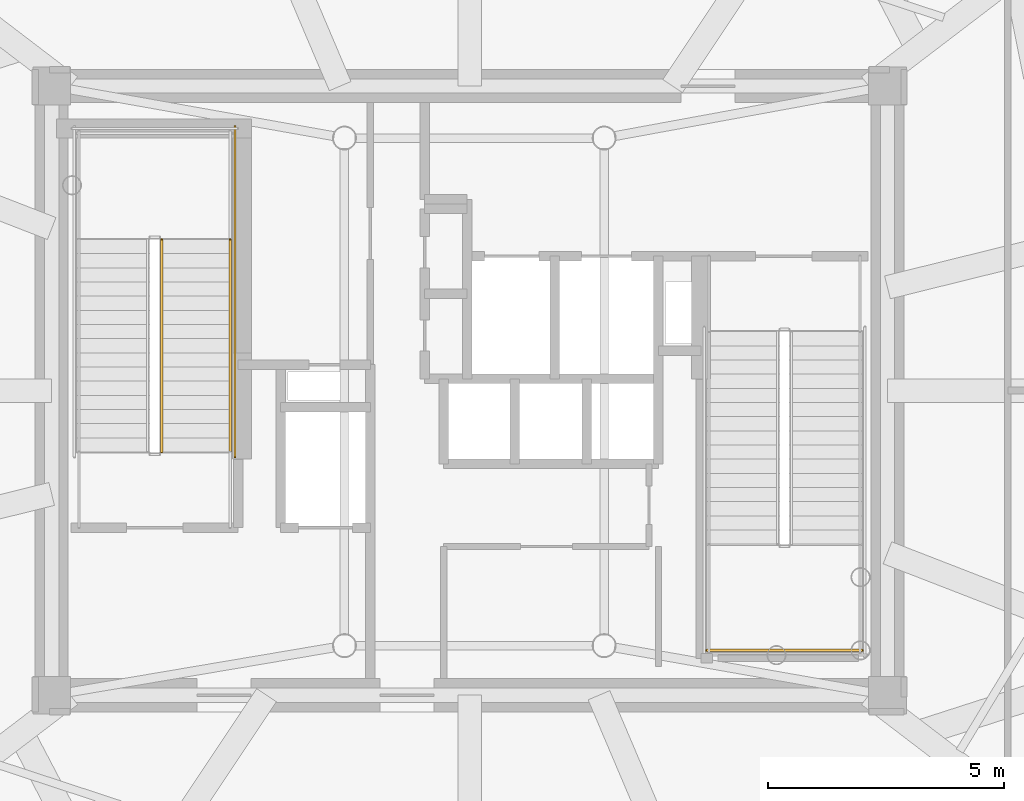
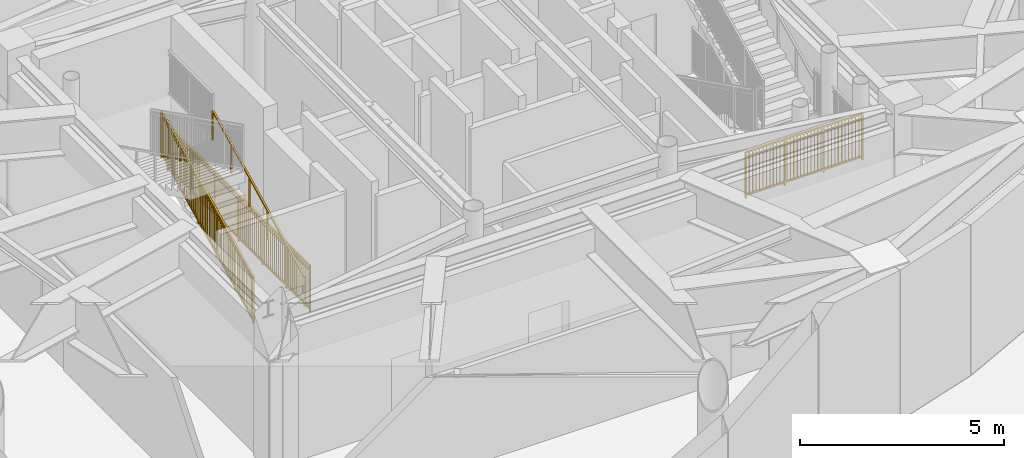
# One storey, part 7 of 11: 4 railings.
"""IFC4 building model written with IfcOpenShell, lengths in metres."""

from ifc_helpers import new_model, si_unit, direction, frame, origin, origin_2d, place, context, subcontext, project, spatial, rectangle, extrude, source, transform, mapped, material, type_object, element, save


model = new_model("IFC4")

# Units and contexts
model_context = context("Model", 3, precision=1e-05, world=origin(), true_north=direction((0.0, 1.0)))
body_context = subcontext(model_context, "Body", "Model", "MODEL_VIEW")
ifc_project = project(units=[si_unit("LENGTHUNIT", "METRE"), si_unit("AREAUNIT", "SQUARE_METRE"), si_unit("VOLUMEUNIT", "CUBIC_METRE"), si_unit("PLANEANGLEUNIT", "RADIAN"), si_unit("MASSUNIT", "GRAM", prefix="KILO")], contexts=[model_context])

# Site, building, storey
site_placement = place(None, origin())
site = spatial("IfcSite", under=ifc_project, at=site_placement, CompositionType="ELEMENT")
building_placement = place(site_placement, origin())
building = spatial("IfcBuilding", under=site, at=building_placement, Name="Linh Dai School and Residence Tower", CompositionType="ELEMENT")
storey_placement = place(building_placement, frame((0.0, 0.0, 363.60009765625)))
storey = spatial("IfcBuildingStorey", under=building, at=storey_placement, Name="L90", CompositionType="ELEMENT", Elevation=363.60009765625)

# Railings
ifc_material_1 = material(Name="Structural Steel S355JR", Category="steel")
railing_type_1 = type_object("IfcRailingType", Name="RL-ST-GUARD-1400", PredefinedType="GUARDRAIL", material=ifc_material_1)
shared_shape_1 = source(origin(), body_context, "Body", "SweptSolid", [
    extrude(rectangle(XDim=0.048095703125, YDim=0.048095703125, at=origin_2d()), frame((0.0, 0.0, 1.3759765625), z_axis=(0.0, 1.0, 0.0), x_axis=(-1.0, 0.0, 0.0)), (0.0, 0.0, 1.0), 7.0),
    extrude(rectangle(XDim=0.048095703125, YDim=0.048095703125, at=origin_2d()), frame((0.0, 0.0, 0.10009765625), z_axis=(0.0, 1.0, 0.0), x_axis=(-1.0, 0.0, 0.0)), (0.0, 0.0, 1.0), 7.0),
    extrude(rectangle(XDim=0.030029296875, YDim=0.030029296875, at=origin_2d()), frame((0.0, 0.0, 1.239990234375), z_axis=(0.0, 1.0, 0.0), x_axis=(-1.0, 0.0, 0.0)), (0.0, 0.0, 1.0), 7.0),
    extrude(rectangle(XDim=0.02001953125, YDim=0.02001953125, at=origin_2d()), frame((0.0, 0.09716796875, 0.10009765625)), (0.0, 0.0, 1.0), 1.251708984375),
    extrude(rectangle(XDim=0.02001953125, YDim=0.02001953125, at=origin_2d()), frame((0.0, 0.1943359375, 0.10009765625)), (0.0, 0.0, 1.0), 1.251708984375),
    extrude(rectangle(XDim=0.02001953125, YDim=0.02001953125, at=origin_2d()), frame((0.0, 0.291748046875, 0.10009765625)), (0.0, 0.0, 1.0), 1.251708984375),
    extrude(rectangle(XDim=0.02001953125, YDim=0.02001953125, at=origin_2d()), frame((0.0, 0.388916015625, 0.10009765625)), (0.0, 0.0, 1.0), 1.251708984375),
    extrude(rectangle(XDim=0.02001953125, YDim=0.02001953125, at=origin_2d()), frame((0.0, 0.486083984375, 0.10009765625)), (0.0, 0.0, 1.0), 1.251708984375),
    extrude(rectangle(XDim=0.02001953125, YDim=0.02001953125, at=origin_2d()), frame((0.0, 0.583251953125, 0.10009765625)), (0.0, 0.0, 1.0), 1.251708984375),
    extrude(rectangle(XDim=0.02001953125, YDim=0.02001953125, at=origin_2d()), frame((0.0, 0.6806640625, 0.10009765625)), (0.0, 0.0, 1.0), 1.251708984375),
    extrude(rectangle(XDim=0.02001953125, YDim=0.02001953125, at=origin_2d()), frame((0.0, 0.77783203125, 0.10009765625)), (0.0, 0.0, 1.0), 1.251708984375),
    extrude(rectangle(XDim=0.02001953125, YDim=0.02001953125, at=origin_2d()), frame((0.0, 0.875, 0.10009765625)), (0.0, 0.0, 1.0), 1.251708984375),
    extrude(rectangle(XDim=0.02001953125, YDim=0.02001953125, at=origin_2d()), frame((0.0, 0.97216796875, 0.10009765625)), (0.0, 0.0, 1.0), 1.251708984375),
    extrude(rectangle(XDim=0.02001953125, YDim=0.02001953125, at=origin_2d()), frame((0.0, 1.0693359375, 0.10009765625)), (0.0, 0.0, 1.0), 1.251708984375),
    extrude(rectangle(XDim=0.02001953125, YDim=0.02001953125, at=origin_2d()), frame((0.0, 1.263916015625, 0.10009765625)), (0.0, 0.0, 1.0), 1.251708984375),
    extrude(rectangle(XDim=0.02001953125, YDim=0.02001953125, at=origin_2d()), frame((0.0, 1.361083984375, 0.10009765625)), (0.0, 0.0, 1.0), 1.251708984375),
    extrude(rectangle(XDim=0.02001953125, YDim=0.02001953125, at=origin_2d()), frame((0.0, 1.458251953125, 0.10009765625)), (0.0, 0.0, 1.0), 1.251708984375),
    extrude(rectangle(XDim=0.02001953125, YDim=0.02001953125, at=origin_2d()), frame((0.0, 1.5556640625, 0.10009765625)), (0.0, 0.0, 1.0), 1.251708984375),
    extrude(rectangle(XDim=0.02001953125, YDim=0.02001953125, at=origin_2d()), frame((0.0, 1.65283203125, 0.10009765625)), (0.0, 0.0, 1.0), 1.251708984375),
    extrude(rectangle(XDim=0.02001953125, YDim=0.02001953125, at=origin_2d()), frame((0.0, 1.75, 0.10009765625)), (0.0, 0.0, 1.0), 1.251708984375),
    extrude(rectangle(XDim=0.02001953125, YDim=0.02001953125, at=origin_2d()), frame((0.0, 1.84716796875, 0.10009765625)), (0.0, 0.0, 1.0), 1.251708984375),
    extrude(rectangle(XDim=0.02001953125, YDim=0.02001953125, at=origin_2d()), frame((0.0, 1.9443359375, 0.10009765625)), (0.0, 0.0, 1.0), 1.251708984375),
    extrude(rectangle(XDim=0.02001953125, YDim=0.02001953125, at=origin_2d()), frame((0.0, 2.041748046875, 0.10009765625)), (0.0, 0.0, 1.0), 1.251708984375),
    extrude(rectangle(XDim=0.02001953125, YDim=0.02001953125, at=origin_2d()), frame((0.0, 2.138916015625, 0.10009765625)), (0.0, 0.0, 1.0), 1.251708984375),
    extrude(rectangle(XDim=0.02001953125, YDim=0.02001953125, at=origin_2d()), frame((0.0, 2.236083984375, 0.10009765625)), (0.0, 0.0, 1.0), 1.251708984375),
    extrude(rectangle(XDim=0.02001953125, YDim=0.02001953125, at=origin_2d()), frame((0.0, 2.4306640625, 0.10009765625)), (0.0, 0.0, 1.0), 1.251708984375),
    extrude(rectangle(XDim=0.02001953125, YDim=0.02001953125, at=origin_2d()), frame((0.0, 2.52783203125, 0.10009765625)), (0.0, 0.0, 1.0), 1.251708984375),
    extrude(rectangle(XDim=0.02001953125, YDim=0.02001953125, at=origin_2d()), frame((0.0, 2.625, 0.10009765625)), (0.0, 0.0, 1.0), 1.251708984375),
    extrude(rectangle(XDim=0.02001953125, YDim=0.02001953125, at=origin_2d()), frame((0.0, 2.72216796875, 0.10009765625)), (0.0, 0.0, 1.0), 1.251708984375),
    extrude(rectangle(XDim=0.02001953125, YDim=0.02001953125, at=origin_2d()), frame((0.0, 2.8193359375, 0.10009765625)), (0.0, 0.0, 1.0), 1.251708984375),
    extrude(rectangle(XDim=0.02001953125, YDim=0.02001953125, at=origin_2d()), frame((0.0, 2.916748046875, 0.10009765625)), (0.0, 0.0, 1.0), 1.251708984375),
    extrude(rectangle(XDim=0.02001953125, YDim=0.02001953125, at=origin_2d()), frame((0.0, 3.013916015625, 0.10009765625)), (0.0, 0.0, 1.0), 1.251708984375),
    extrude(rectangle(XDim=0.02001953125, YDim=0.02001953125, at=origin_2d()), frame((0.0, 3.111083984375, 0.10009765625)), (0.0, 0.0, 1.0), 1.251708984375),
    extrude(rectangle(XDim=0.02001953125, YDim=0.02001953125, at=origin_2d()), frame((0.0, 3.208251953125, 0.10009765625)), (0.0, 0.0, 1.0), 1.251708984375),
    extrude(rectangle(XDim=0.02001953125, YDim=0.02001953125, at=origin_2d()), frame((0.0, 3.3056640625, 0.10009765625)), (0.0, 0.0, 1.0), 1.251708984375),
    extrude(rectangle(XDim=0.02001953125, YDim=0.02001953125, at=origin_2d()), frame((0.0, 3.40283203125, 0.10009765625)), (0.0, 0.0, 1.0), 1.251708984375),
    extrude(rectangle(XDim=0.02001953125, YDim=0.02001953125, at=origin_2d()), frame((0.0, 3.59716796875, 0.10009765625)), (0.0, 0.0, 1.0), 1.251708984375),
    extrude(rectangle(XDim=0.02001953125, YDim=0.02001953125, at=origin_2d()), frame((0.0, 3.6943359375, 0.10009765625)), (0.0, 0.0, 1.0), 1.251708984375),
    extrude(rectangle(XDim=0.02001953125, YDim=0.02001953125, at=origin_2d()), frame((0.0, 3.791748046875, 0.10009765625)), (0.0, 0.0, 1.0), 1.251708984375),
    extrude(rectangle(XDim=0.02001953125, YDim=0.02001953125, at=origin_2d()), frame((0.0, 3.888916015625, 0.10009765625)), (0.0, 0.0, 1.0), 1.251708984375),
    extrude(rectangle(XDim=0.02001953125, YDim=0.02001953125, at=origin_2d()), frame((0.0, 3.986083984375, 0.10009765625)), (0.0, 0.0, 1.0), 1.251708984375),
    extrude(rectangle(XDim=0.02001953125, YDim=0.02001953125, at=origin_2d()), frame((0.0, 4.083251953125, 0.10009765625)), (0.0, 0.0, 1.0), 1.251708984375),
    extrude(rectangle(XDim=0.02001953125, YDim=0.02001953125, at=origin_2d()), frame((0.0, 4.1806640625, 0.10009765625)), (0.0, 0.0, 1.0), 1.251708984375),
    extrude(rectangle(XDim=0.02001953125, YDim=0.02001953125, at=origin_2d()), frame((0.0, 4.27783203125, 0.10009765625)), (0.0, 0.0, 1.0), 1.251708984375),
    extrude(rectangle(XDim=0.02001953125, YDim=0.02001953125, at=origin_2d()), frame((0.0, 4.375, 0.10009765625)), (0.0, 0.0, 1.0), 1.251708984375),
    extrude(rectangle(XDim=0.02001953125, YDim=0.02001953125, at=origin_2d()), frame((0.0, 4.47216796875, 0.10009765625)), (0.0, 0.0, 1.0), 1.251708984375),
    extrude(rectangle(XDim=0.02001953125, YDim=0.02001953125, at=origin_2d()), frame((0.0, 4.5693359375, 0.10009765625)), (0.0, 0.0, 1.0), 1.251708984375),
    extrude(rectangle(XDim=0.02001953125, YDim=0.02001953125, at=origin_2d()), frame((0.0, 4.763916015625, 0.10009765625)), (0.0, 0.0, 1.0), 1.251708984375),
    extrude(rectangle(XDim=0.02001953125, YDim=0.02001953125, at=origin_2d()), frame((0.0, 4.861083984375, 0.10009765625)), (0.0, 0.0, 1.0), 1.251708984375),
    extrude(rectangle(XDim=0.02001953125, YDim=0.02001953125, at=origin_2d()), frame((0.0, 4.958251953125, 0.10009765625)), (0.0, 0.0, 1.0), 1.251708984375),
    extrude(rectangle(XDim=0.02001953125, YDim=0.02001953125, at=origin_2d()), frame((0.0, 5.0556640625, 0.10009765625)), (0.0, 0.0, 1.0), 1.251708984375),
    extrude(rectangle(XDim=0.02001953125, YDim=0.02001953125, at=origin_2d()), frame((0.0, 5.15283203125, 0.10009765625)), (0.0, 0.0, 1.0), 1.251708984375),
    extrude(rectangle(XDim=0.02001953125, YDim=0.02001953125, at=origin_2d()), frame((0.0, 5.25, 0.10009765625)), (0.0, 0.0, 1.0), 1.251708984375),
    extrude(rectangle(XDim=0.02001953125, YDim=0.02001953125, at=origin_2d()), frame((0.0, 5.34716796875, 0.10009765625)), (0.0, 0.0, 1.0), 1.251708984375),
    extrude(rectangle(XDim=0.02001953125, YDim=0.02001953125, at=origin_2d()), frame((0.0, 5.4443359375, 0.10009765625)), (0.0, 0.0, 1.0), 1.251708984375),
    extrude(rectangle(XDim=0.02001953125, YDim=0.02001953125, at=origin_2d()), frame((0.0, 5.541748046875, 0.10009765625)), (0.0, 0.0, 1.0), 1.251708984375),
    extrude(rectangle(XDim=0.02001953125, YDim=0.02001953125, at=origin_2d()), frame((0.0, 5.638916015625, 0.10009765625)), (0.0, 0.0, 1.0), 1.251708984375),
    extrude(rectangle(XDim=0.02001953125, YDim=0.02001953125, at=origin_2d()), frame((0.0, 5.736083984375, 0.10009765625)), (0.0, 0.0, 1.0), 1.251708984375),
    extrude(rectangle(XDim=0.02001953125, YDim=0.02001953125, at=origin_2d()), frame((0.0, 5.9306640625, 0.10009765625)), (0.0, 0.0, 1.0), 1.251708984375),
    extrude(rectangle(XDim=0.02001953125, YDim=0.02001953125, at=origin_2d()), frame((0.0, 6.02783203125, 0.10009765625)), (0.0, 0.0, 1.0), 1.251708984375),
    extrude(rectangle(XDim=0.02001953125, YDim=0.02001953125, at=origin_2d()), frame((0.0, 6.125, 0.10009765625)), (0.0, 0.0, 1.0), 1.251708984375),
    extrude(rectangle(XDim=0.02001953125, YDim=0.02001953125, at=origin_2d()), frame((0.0, 6.22216796875, 0.10009765625)), (0.0, 0.0, 1.0), 1.251708984375),
    extrude(rectangle(XDim=0.02001953125, YDim=0.02001953125, at=origin_2d()), frame((0.0, 6.3193359375, 0.10009765625)), (0.0, 0.0, 1.0), 1.251708984375),
    extrude(rectangle(XDim=0.02001953125, YDim=0.02001953125, at=origin_2d()), frame((0.0, 6.416748046875, 0.10009765625)), (0.0, 0.0, 1.0), 1.251708984375),
    extrude(rectangle(XDim=0.02001953125, YDim=0.02001953125, at=origin_2d()), frame((0.0, 6.513916015625, 0.10009765625)), (0.0, 0.0, 1.0), 1.251708984375),
    extrude(rectangle(XDim=0.02001953125, YDim=0.02001953125, at=origin_2d()), frame((0.0, 6.611083984375, 0.10009765625)), (0.0, 0.0, 1.0), 1.251708984375),
    extrude(rectangle(XDim=0.02001953125, YDim=0.02001953125, at=origin_2d()), frame((0.0, 6.708251953125, 0.10009765625)), (0.0, 0.0, 1.0), 1.251708984375),
    extrude(rectangle(XDim=0.02001953125, YDim=0.02001953125, at=origin_2d()), frame((0.0, 6.8056640625, 0.10009765625)), (0.0, 0.0, 1.0), 1.251708984375),
    extrude(rectangle(XDim=0.02001953125, YDim=0.02001953125, at=origin_2d()), frame((0.0, 6.90283203125, 0.10009765625)), (0.0, 0.0, 1.0), 1.251708984375),
    extrude(rectangle(XDim=0.0419921875, YDim=0.0419921875, at=origin_2d()), origin(), (0.0, 0.0, 1.0), 1.3759765625),
    extrude(rectangle(XDim=0.0419921875, YDim=0.0419921875, at=origin_2d()), frame((0.0, 1.166748046875, 0.0)), (0.0, 0.0, 1.0), 1.3759765625),
    extrude(rectangle(XDim=0.0419921875, YDim=0.0419921875, at=origin_2d()), frame((0.0, 2.333251953125, 0.0)), (0.0, 0.0, 1.0), 1.3759765625),
    extrude(rectangle(XDim=0.0419921875, YDim=0.0419921875, at=origin_2d()), frame((0.0, 3.5, 0.0)), (0.0, 0.0, 1.0), 1.3759765625),
    extrude(rectangle(XDim=0.0419921875, YDim=0.0419921875, at=origin_2d()), frame((0.0, 4.666748046875, 0.0)), (0.0, 0.0, 1.0), 1.3759765625),
    extrude(rectangle(XDim=0.0419921875, YDim=0.0419921875, at=origin_2d()), frame((0.0, 5.833251953125, 0.0)), (0.0, 0.0, 1.0), 1.3759765625),
    extrude(rectangle(XDim=0.0419921875, YDim=0.0419921875, at=origin_2d()), frame((0.0, 7.0, 0.0)), (0.0, 0.0, 1.0), 1.3759765625),
])
railing_1_placement = place(storey_placement, frame((31.030029296875, 25.60009765625, 0.0)))
element("IfcRailing", 1, at=railing_1_placement, inside=storey, type_object=railing_type_1, Name="L90 ST1 stair guard 10", PredefinedType="GUARDRAIL", context=body_context, shape_type="MappedRepresentation", body=[
    mapped(shared_shape_1, transform((0.0, 0.0, 0.0), x_axis=(1.0, 0.0, 0.0), y_axis=(0.0, 1.0, 0.0), z_axis=(0.0, 0.0, 1.0), scale=1.0)),
])
shared_shape_2 = source(origin(), body_context, "Body", "SweptSolid", [
    extrude(rectangle(XDim=0.048095703125, YDim=0.048095703125, at=origin_2d()), frame((0.0, 0.0, 1.3759765625), z_axis=(0.0, 0.894427191, 0.4472135955), x_axis=(-1.0, 0.0, 0.0)), (0.0, 0.0, 1.0), 5.03125),
    extrude(rectangle(XDim=0.048095703125, YDim=0.048095703125, at=origin_2d()), frame((0.0, 0.0, 0.10009765625), z_axis=(0.0, 0.894427191, 0.4472135955), x_axis=(-1.0, 0.0, 0.0)), (0.0, 0.0, 1.0), 5.03125),
    extrude(rectangle(XDim=0.030029296875, YDim=0.030029296875, at=origin_2d()), frame((0.0, 0.0, 1.239990234375), z_axis=(0.0, 0.894427191, 0.4472135955), x_axis=(-1.0, 0.0, 0.0)), (0.0, 0.0, 1.0), 5.03125),
    extrude(rectangle(XDim=0.02001953125, YDim=0.02001953125, at=origin_2d()), frame((0.0, 0.08642578125, 0.143310546875)), (0.0, 0.0, 1.0), 1.251708984375),
    extrude(rectangle(XDim=0.02001953125, YDim=0.02001953125, at=origin_2d()), frame((0.0, 0.173095703125, 0.1865234375)), (0.0, 0.0, 1.0), 1.251708984375),
    extrude(rectangle(XDim=0.02001953125, YDim=0.02001953125, at=origin_2d()), frame((0.0, 0.259521484375, 0.22998046875)), (0.0, 0.0, 1.0), 1.251708984375),
    extrude(rectangle(XDim=0.02001953125, YDim=0.02001953125, at=origin_2d()), frame((0.0, 0.34619140625, 0.273193359375)), (0.0, 0.0, 1.0), 1.251708984375),
    extrude(rectangle(XDim=0.02001953125, YDim=0.02001953125, at=origin_2d()), frame((0.0, 0.4326171875, 0.31640625)), (0.0, 0.0, 1.0), 1.251708984375),
    extrude(rectangle(XDim=0.02001953125, YDim=0.02001953125, at=origin_2d()), frame((0.0, 0.519287109375, 0.359619140625)), (0.0, 0.0, 1.0), 1.251708984375),
    extrude(rectangle(XDim=0.02001953125, YDim=0.02001953125, at=origin_2d()), frame((0.0, 0.605712890625, 0.403076171875)), (0.0, 0.0, 1.0), 1.251708984375),
    extrude(rectangle(XDim=0.02001953125, YDim=0.02001953125, at=origin_2d()), frame((0.0, 0.6923828125, 0.4462890625)), (0.0, 0.0, 1.0), 1.251708984375),
    extrude(rectangle(XDim=0.02001953125, YDim=0.02001953125, at=origin_2d()), frame((0.0, 0.77880859375, 0.489501953125)), (0.0, 0.0, 1.0), 1.251708984375),
    extrude(rectangle(XDim=0.02001953125, YDim=0.02001953125, at=origin_2d()), frame((0.0, 0.951904296875, 0.576171875)), (0.0, 0.0, 1.0), 1.251708984375),
    extrude(rectangle(XDim=0.02001953125, YDim=0.02001953125, at=origin_2d()), frame((0.0, 1.03857421875, 0.619384765625)), (0.0, 0.0, 1.0), 1.251708984375),
    extrude(rectangle(XDim=0.02001953125, YDim=0.02001953125, at=origin_2d()), frame((0.0, 1.125, 0.66259765625)), (0.0, 0.0, 1.0), 1.251708984375),
    extrude(rectangle(XDim=0.02001953125, YDim=0.02001953125, at=origin_2d()), frame((0.0, 1.21142578125, 0.705810546875)), (0.0, 0.0, 1.0), 1.251708984375),
    extrude(rectangle(XDim=0.02001953125, YDim=0.02001953125, at=origin_2d()), frame((0.0, 1.298095703125, 0.7490234375)), (0.0, 0.0, 1.0), 1.251708984375),
    extrude(rectangle(XDim=0.02001953125, YDim=0.02001953125, at=origin_2d()), frame((0.0, 1.384521484375, 0.79248046875)), (0.0, 0.0, 1.0), 1.251708984375),
    extrude(rectangle(XDim=0.02001953125, YDim=0.02001953125, at=origin_2d()), frame((0.0, 1.47119140625, 0.835693359375)), (0.0, 0.0, 1.0), 1.251708984375),
    extrude(rectangle(XDim=0.02001953125, YDim=0.02001953125, at=origin_2d()), frame((0.0, 1.5576171875, 0.87890625)), (0.0, 0.0, 1.0), 1.251708984375),
    extrude(rectangle(XDim=0.02001953125, YDim=0.02001953125, at=origin_2d()), frame((0.0, 1.644287109375, 0.922119140625)), (0.0, 0.0, 1.0), 1.251708984375),
    extrude(rectangle(XDim=0.02001953125, YDim=0.02001953125, at=origin_2d()), frame((0.0, 1.730712890625, 0.965576171875)), (0.0, 0.0, 1.0), 1.251708984375),
    extrude(rectangle(XDim=0.02001953125, YDim=0.02001953125, at=origin_2d()), frame((0.0, 1.90380859375, 1.052001953125)), (0.0, 0.0, 1.0), 1.251708984375),
    extrude(rectangle(XDim=0.02001953125, YDim=0.02001953125, at=origin_2d()), frame((0.0, 1.990478515625, 1.09521484375)), (0.0, 0.0, 1.0), 1.251708984375),
    extrude(rectangle(XDim=0.02001953125, YDim=0.02001953125, at=origin_2d()), frame((0.0, 2.076904296875, 1.138671875)), (0.0, 0.0, 1.0), 1.251708984375),
    extrude(rectangle(XDim=0.02001953125, YDim=0.02001953125, at=origin_2d()), frame((0.0, 2.16357421875, 1.181884765625)), (0.0, 0.0, 1.0), 1.251708984375),
    extrude(rectangle(XDim=0.02001953125, YDim=0.02001953125, at=origin_2d()), frame((0.0, 2.25, 1.22509765625)), (0.0, 0.0, 1.0), 1.251708984375),
    extrude(rectangle(XDim=0.02001953125, YDim=0.02001953125, at=origin_2d()), frame((0.0, 2.33642578125, 1.268310546875)), (0.0, 0.0, 1.0), 1.251708984375),
    extrude(rectangle(XDim=0.02001953125, YDim=0.02001953125, at=origin_2d()), frame((0.0, 2.423095703125, 1.3115234375)), (0.0, 0.0, 1.0), 1.251708984375),
    extrude(rectangle(XDim=0.02001953125, YDim=0.02001953125, at=origin_2d()), frame((0.0, 2.509521484375, 1.35498046875)), (0.0, 0.0, 1.0), 1.251708984375),
    extrude(rectangle(XDim=0.02001953125, YDim=0.02001953125, at=origin_2d()), frame((0.0, 2.59619140625, 1.398193359375)), (0.0, 0.0, 1.0), 1.251708984375),
    extrude(rectangle(XDim=0.02001953125, YDim=0.02001953125, at=origin_2d()), frame((0.0, 2.769287109375, 1.484619140625)), (0.0, 0.0, 1.0), 1.251708984375),
    extrude(rectangle(XDim=0.02001953125, YDim=0.02001953125, at=origin_2d()), frame((0.0, 2.855712890625, 1.528076171875)), (0.0, 0.0, 1.0), 1.251708984375),
    extrude(rectangle(XDim=0.02001953125, YDim=0.02001953125, at=origin_2d()), frame((0.0, 2.9423828125, 1.5712890625)), (0.0, 0.0, 1.0), 1.251708984375),
    extrude(rectangle(XDim=0.02001953125, YDim=0.02001953125, at=origin_2d()), frame((0.0, 3.02880859375, 1.614501953125)), (0.0, 0.0, 1.0), 1.251708984375),
    extrude(rectangle(XDim=0.02001953125, YDim=0.02001953125, at=origin_2d()), frame((0.0, 3.115478515625, 1.65771484375)), (0.0, 0.0, 1.0), 1.251708984375),
    extrude(rectangle(XDim=0.02001953125, YDim=0.02001953125, at=origin_2d()), frame((0.0, 3.201904296875, 1.701171875)), (0.0, 0.0, 1.0), 1.251708984375),
    extrude(rectangle(XDim=0.02001953125, YDim=0.02001953125, at=origin_2d()), frame((0.0, 3.28857421875, 1.744384765625)), (0.0, 0.0, 1.0), 1.251708984375),
    extrude(rectangle(XDim=0.02001953125, YDim=0.02001953125, at=origin_2d()), frame((0.0, 3.375, 1.78759765625)), (0.0, 0.0, 1.0), 1.251708984375),
    extrude(rectangle(XDim=0.02001953125, YDim=0.02001953125, at=origin_2d()), frame((0.0, 3.46142578125, 1.830810546875)), (0.0, 0.0, 1.0), 1.251708984375),
    extrude(rectangle(XDim=0.02001953125, YDim=0.02001953125, at=origin_2d()), frame((0.0, 3.548095703125, 1.8740234375)), (0.0, 0.0, 1.0), 1.251708984375),
    extrude(rectangle(XDim=0.02001953125, YDim=0.02001953125, at=origin_2d()), frame((0.0, 3.72119140625, 1.960693359375)), (0.0, 0.0, 1.0), 1.251708984375),
    extrude(rectangle(XDim=0.02001953125, YDim=0.02001953125, at=origin_2d()), frame((0.0, 3.8076171875, 2.00390625)), (0.0, 0.0, 1.0), 1.251708984375),
    extrude(rectangle(XDim=0.02001953125, YDim=0.02001953125, at=origin_2d()), frame((0.0, 3.894287109375, 2.047119140625)), (0.0, 0.0, 1.0), 1.251708984375),
    extrude(rectangle(XDim=0.02001953125, YDim=0.02001953125, at=origin_2d()), frame((0.0, 3.980712890625, 2.090576171875)), (0.0, 0.0, 1.0), 1.251708984375),
    extrude(rectangle(XDim=0.02001953125, YDim=0.02001953125, at=origin_2d()), frame((0.0, 4.0673828125, 2.1337890625)), (0.0, 0.0, 1.0), 1.251708984375),
    extrude(rectangle(XDim=0.02001953125, YDim=0.02001953125, at=origin_2d()), frame((0.0, 4.15380859375, 2.177001953125)), (0.0, 0.0, 1.0), 1.251708984375),
    extrude(rectangle(XDim=0.02001953125, YDim=0.02001953125, at=origin_2d()), frame((0.0, 4.240478515625, 2.22021484375)), (0.0, 0.0, 1.0), 1.251708984375),
    extrude(rectangle(XDim=0.02001953125, YDim=0.02001953125, at=origin_2d()), frame((0.0, 4.326904296875, 2.263671875)), (0.0, 0.0, 1.0), 1.251708984375),
    extrude(rectangle(XDim=0.02001953125, YDim=0.02001953125, at=origin_2d()), frame((0.0, 4.41357421875, 2.306884765625)), (0.0, 0.0, 1.0), 1.251708984375),
    extrude(rectangle(XDim=0.0419921875, YDim=0.0419921875, at=origin_2d()), origin(), (0.0, 0.0, 1.0), 1.3759765625),
    extrude(rectangle(XDim=0.0419921875, YDim=0.0419921875, at=origin_2d()), frame((0.0, 0.89990234375, 0.449951171875)), (0.0, 0.0, 1.0), 1.3759765625),
    extrude(rectangle(XDim=0.0419921875, YDim=0.0419921875, at=origin_2d()), frame((0.0, 1.800048828125, 0.89990234375)), (0.0, 0.0, 1.0), 1.3759765625),
    extrude(rectangle(XDim=0.0419921875, YDim=0.0419921875, at=origin_2d()), frame((0.0, 2.699951171875, 1.35009765625)), (0.0, 0.0, 1.0), 1.3759765625),
    extrude(rectangle(XDim=0.0419921875, YDim=0.0419921875, at=origin_2d()), frame((0.0, 3.60009765625, 1.800048828125)), (0.0, 0.0, 1.0), 1.3759765625),
    extrude(rectangle(XDim=0.0419921875, YDim=0.0419921875, at=origin_2d()), frame((0.0, 4.5, 2.25)), (0.0, 0.0, 1.0), 1.3759765625),
])
railing_2_placement = place(storey_placement, frame((29.47998046875, 25.699951171875, 0.14990234375)))
element("IfcRailing", 2, at=railing_2_placement, inside=storey, type_object=railing_type_1, Name="L90 ST1 stair guard 1", PredefinedType="GUARDRAIL", context=body_context, shape_type="MappedRepresentation", body=[
    mapped(shared_shape_2, transform((0.0, 0.0, 0.0), x_axis=(1.0, 0.0, 0.0), y_axis=(0.0, 1.0, 0.0), z_axis=(0.0, 0.0, 1.0), scale=1.0)),
])
ifc_material_2 = material(Name="Brushed Stainless Steel Handrail", Category="steel")
railing_type_2 = type_object("IfcRailingType", Name="RL-ST-HANDRAIL-900", PredefinedType="HANDRAIL", material=ifc_material_2)
shared_shape_3 = source(origin(), body_context, "Body", "SweptSolid", [
    extrude(rectangle(XDim=0.048095703125, YDim=0.048095703125, at=origin_2d()), frame((0.0, 0.0, 0.8759765625), z_axis=(0.0, 0.894427191, 0.4472135955), x_axis=(-1.0, 0.0, 0.0)), (0.0, 0.0, 1.0), 5.03125),
    extrude(rectangle(XDim=0.0419921875, YDim=0.0419921875, at=origin_2d()), origin(), (0.0, 0.0, 1.0), 0.8759765625),
    extrude(rectangle(XDim=0.0419921875, YDim=0.0419921875, at=origin_2d()), frame((0.0, 0.89990234375, 0.449951171875)), (0.0, 0.0, 1.0), 0.8759765625),
    extrude(rectangle(XDim=0.0419921875, YDim=0.0419921875, at=origin_2d()), frame((0.0, 1.800048828125, 0.89990234375)), (0.0, 0.0, 1.0), 0.8759765625),
    extrude(rectangle(XDim=0.0419921875, YDim=0.0419921875, at=origin_2d()), frame((0.0, 2.699951171875, 1.35009765625)), (0.0, 0.0, 1.0), 0.8759765625),
    extrude(rectangle(XDim=0.0419921875, YDim=0.0419921875, at=origin_2d()), frame((0.0, 3.60009765625, 1.800048828125)), (0.0, 0.0, 1.0), 0.8759765625),
    extrude(rectangle(XDim=0.0419921875, YDim=0.0419921875, at=origin_2d()), frame((0.0, 4.5, 2.25)), (0.0, 0.0, 1.0), 0.8759765625),
])
railing_3_placement = place(storey_placement, frame((30.929931640625, 25.699951171875, 0.14990234375)))
element("IfcRailing", 3, at=railing_3_placement, inside=storey, type_object=railing_type_2, Name="L90 ST1 stair handrail 1", PredefinedType="HANDRAIL", context=body_context, shape_type="MappedRepresentation", body=[
    mapped(shared_shape_3, transform((0.0, 0.0, 0.0), x_axis=(1.0, 0.0, 0.0), y_axis=(0.0, 1.0, 0.0), z_axis=(0.0, 0.0, 1.0), scale=1.0)),
])
shared_shape_4 = source(origin(), body_context, "Body", "SweptSolid", [
    extrude(rectangle(XDim=0.048095703125, YDim=0.048095703125, at=origin_2d()), frame((0.0, 0.0, 1.3759765625), z_axis=(1.0, 0.0, 0.0), x_axis=(0.0, 1.0, 0.0)), (0.0, 0.0, 1.0), 3.300048828125),
    extrude(rectangle(XDim=0.048095703125, YDim=0.048095703125, at=origin_2d()), frame((0.0, 0.0, 0.10009765625), z_axis=(1.0, 0.0, 0.0), x_axis=(0.0, 1.0, 0.0)), (0.0, 0.0, 1.0), 3.300048828125),
    extrude(rectangle(XDim=0.030029296875, YDim=0.030029296875, at=origin_2d()), frame((0.0, 0.0, 1.239990234375), z_axis=(1.0, 0.0, 0.0), x_axis=(0.0, 1.0, 0.0)), (0.0, 0.0, 1.0), 3.300048828125),
    extrude(rectangle(XDim=0.02001953125, YDim=0.02001953125, at=origin_2d()), frame((0.09716796875, 0.0, 0.10009765625)), (0.0, 0.0, 1.0), 1.251708984375),
    extrude(rectangle(XDim=0.02001953125, YDim=0.02001953125, at=origin_2d()), frame((0.194091796875, 0.0, 0.10009765625)), (0.0, 0.0, 1.0), 1.251708984375),
    extrude(rectangle(XDim=0.02001953125, YDim=0.02001953125, at=origin_2d()), frame((0.291259765625, 0.0, 0.10009765625)), (0.0, 0.0, 1.0), 1.251708984375),
    extrude(rectangle(XDim=0.02001953125, YDim=0.02001953125, at=origin_2d()), frame((0.38818359375, 0.0, 0.10009765625)), (0.0, 0.0, 1.0), 1.251708984375),
    extrude(rectangle(XDim=0.02001953125, YDim=0.02001953125, at=origin_2d()), frame((0.4853515625, 0.0, 0.10009765625)), (0.0, 0.0, 1.0), 1.251708984375),
    extrude(rectangle(XDim=0.02001953125, YDim=0.02001953125, at=origin_2d()), frame((0.582275390625, 0.0, 0.10009765625)), (0.0, 0.0, 1.0), 1.251708984375),
    extrude(rectangle(XDim=0.02001953125, YDim=0.02001953125, at=origin_2d()), frame((0.679443359375, 0.0, 0.10009765625)), (0.0, 0.0, 1.0), 1.251708984375),
    extrude(rectangle(XDim=0.02001953125, YDim=0.02001953125, at=origin_2d()), frame((0.7763671875, 0.0, 0.10009765625)), (0.0, 0.0, 1.0), 1.251708984375),
    extrude(rectangle(XDim=0.02001953125, YDim=0.02001953125, at=origin_2d()), frame((0.87353515625, 0.0, 0.10009765625)), (0.0, 0.0, 1.0), 1.251708984375),
    extrude(rectangle(XDim=0.02001953125, YDim=0.02001953125, at=origin_2d()), frame((0.970703125, 0.0, 0.10009765625)), (0.0, 0.0, 1.0), 1.251708984375),
    extrude(rectangle(XDim=0.02001953125, YDim=0.02001953125, at=origin_2d()), frame((1.164794921875, 0.0, 0.10009765625)), (0.0, 0.0, 1.0), 1.251708984375),
    extrude(rectangle(XDim=0.02001953125, YDim=0.02001953125, at=origin_2d()), frame((1.26171875, 0.0, 0.10009765625)), (0.0, 0.0, 1.0), 1.251708984375),
    extrude(rectangle(XDim=0.02001953125, YDim=0.02001953125, at=origin_2d()), frame((1.35888671875, 0.0, 0.10009765625)), (0.0, 0.0, 1.0), 1.251708984375),
    extrude(rectangle(XDim=0.02001953125, YDim=0.02001953125, at=origin_2d()), frame((1.455810546875, 0.0, 0.10009765625)), (0.0, 0.0, 1.0), 1.251708984375),
    extrude(rectangle(XDim=0.02001953125, YDim=0.02001953125, at=origin_2d()), frame((1.552978515625, 0.0, 0.10009765625)), (0.0, 0.0, 1.0), 1.251708984375),
    extrude(rectangle(XDim=0.02001953125, YDim=0.02001953125, at=origin_2d()), frame((1.64990234375, 0.0, 0.10009765625)), (0.0, 0.0, 1.0), 1.251708984375),
    extrude(rectangle(XDim=0.02001953125, YDim=0.02001953125, at=origin_2d()), frame((1.7470703125, 0.0, 0.10009765625)), (0.0, 0.0, 1.0), 1.251708984375),
    extrude(rectangle(XDim=0.02001953125, YDim=0.02001953125, at=origin_2d()), frame((1.84423828125, 0.0, 0.10009765625)), (0.0, 0.0, 1.0), 1.251708984375),
    extrude(rectangle(XDim=0.02001953125, YDim=0.02001953125, at=origin_2d()), frame((1.941162109375, 0.0, 0.10009765625)), (0.0, 0.0, 1.0), 1.251708984375),
    extrude(rectangle(XDim=0.02001953125, YDim=0.02001953125, at=origin_2d()), frame((2.038330078125, 0.0, 0.10009765625)), (0.0, 0.0, 1.0), 1.251708984375),
    extrude(rectangle(XDim=0.02001953125, YDim=0.02001953125, at=origin_2d()), frame((2.13525390625, 0.0, 0.10009765625)), (0.0, 0.0, 1.0), 1.251708984375),
    extrude(rectangle(XDim=0.02001953125, YDim=0.02001953125, at=origin_2d()), frame((2.329345703125, 0.0, 0.10009765625)), (0.0, 0.0, 1.0), 1.251708984375),
    extrude(rectangle(XDim=0.02001953125, YDim=0.02001953125, at=origin_2d()), frame((2.426513671875, 0.0, 0.10009765625)), (0.0, 0.0, 1.0), 1.251708984375),
    extrude(rectangle(XDim=0.02001953125, YDim=0.02001953125, at=origin_2d()), frame((2.523681640625, 0.0, 0.10009765625)), (0.0, 0.0, 1.0), 1.251708984375),
    extrude(rectangle(XDim=0.02001953125, YDim=0.02001953125, at=origin_2d()), frame((2.62060546875, 0.0, 0.10009765625)), (0.0, 0.0, 1.0), 1.251708984375),
    extrude(rectangle(XDim=0.02001953125, YDim=0.02001953125, at=origin_2d()), frame((2.7177734375, 0.0, 0.10009765625)), (0.0, 0.0, 1.0), 1.251708984375),
    extrude(rectangle(XDim=0.02001953125, YDim=0.02001953125, at=origin_2d()), frame((2.814697265625, 0.0, 0.10009765625)), (0.0, 0.0, 1.0), 1.251708984375),
    extrude(rectangle(XDim=0.02001953125, YDim=0.02001953125, at=origin_2d()), frame((2.911865234375, 0.0, 0.10009765625)), (0.0, 0.0, 1.0), 1.251708984375),
    extrude(rectangle(XDim=0.02001953125, YDim=0.02001953125, at=origin_2d()), frame((3.0087890625, 0.0, 0.10009765625)), (0.0, 0.0, 1.0), 1.251708984375),
    extrude(rectangle(XDim=0.02001953125, YDim=0.02001953125, at=origin_2d()), frame((3.10595703125, 0.0, 0.10009765625)), (0.0, 0.0, 1.0), 1.251708984375),
    extrude(rectangle(XDim=0.02001953125, YDim=0.02001953125, at=origin_2d()), frame((3.202880859375, 0.0, 0.10009765625)), (0.0, 0.0, 1.0), 1.251708984375),
    extrude(rectangle(XDim=0.0419921875, YDim=0.0419921875, at=origin_2d()), origin(), (0.0, 0.0, 1.0), 1.3759765625),
    extrude(rectangle(XDim=0.0419921875, YDim=0.0419921875, at=origin_2d()), frame((1.10009765625, 0.0, 0.0)), (0.0, 0.0, 1.0), 1.3759765625),
    extrude(rectangle(XDim=0.0419921875, YDim=0.0419921875, at=origin_2d()), frame((2.199951171875, 0.0, 0.0)), (0.0, 0.0, 1.0), 1.3759765625),
    extrude(rectangle(XDim=0.0419921875, YDim=0.0419921875, at=origin_2d()), frame((3.300048828125, 0.0, 0.0)), (0.0, 0.0, 1.0), 1.3759765625),
])
railing_4_placement = place(storey_placement, frame((41.02001953125, 21.5, 2.39990234375)))
element("IfcRailing", 4, at=railing_4_placement, inside=storey, type_object=railing_type_1, Name="L90 ST2 stair guard 5", PredefinedType="GUARDRAIL", context=body_context, shape_type="MappedRepresentation", body=[
    mapped(shared_shape_4, transform((0.0, 0.0, 0.0), x_axis=(1.0, 0.0, 0.0), y_axis=(0.0, 1.0, 0.0), z_axis=(0.0, 0.0, 1.0), scale=1.0)),
])

save(model, "model.ifc")
